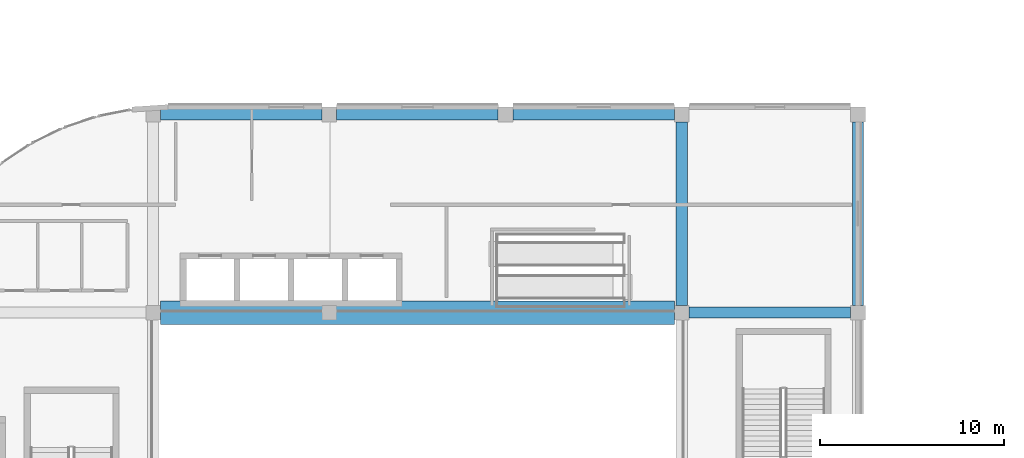
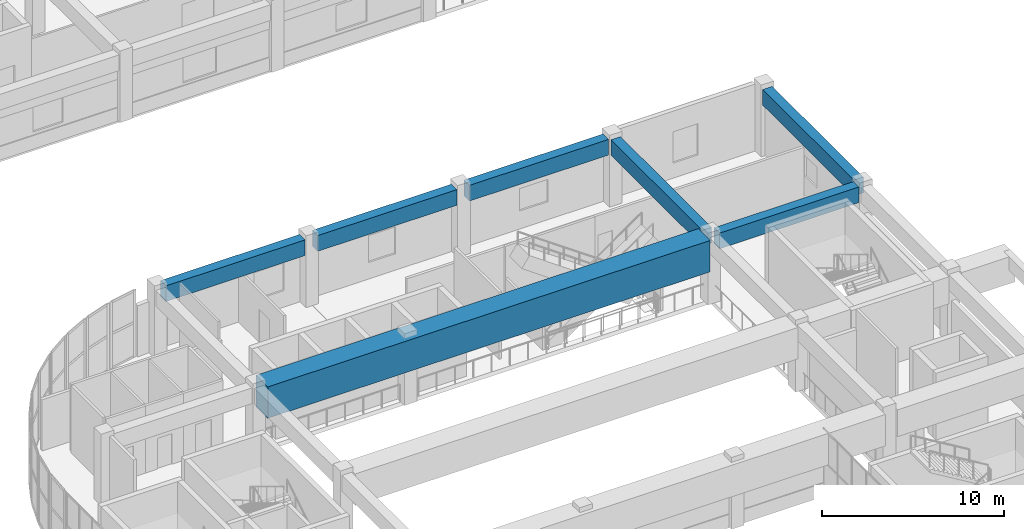
# One storey, part 10 of 33: 7 beams.
"""IFC4 building model written with IfcOpenShell, lengths in metres."""

from ifc_helpers import new_model, si_unit, direction, frame, origin, origin_2d, place, context, subcontext, project, spatial, rectangle, extrude, material, material_profile, profile_set, type_object, element, save


model = new_model("IFC4")

# Units and contexts
model_context = context("Model", 3, precision=1e-05, world=origin(), true_north=direction((0.0, 1.0)))
body_context = subcontext(model_context, "Body", "Model", "MODEL_VIEW")
ifc_project = project(units=[si_unit("LENGTHUNIT", "METRE"), si_unit("AREAUNIT", "SQUARE_METRE"), si_unit("VOLUMEUNIT", "CUBIC_METRE"), si_unit("PLANEANGLEUNIT", "RADIAN"), si_unit("MASSUNIT", "GRAM", prefix="KILO")], contexts=[model_context])

# Site, building, storey
site_placement = place(None, origin())
site = spatial("IfcSite", under=ifc_project, at=site_placement, CompositionType="ELEMENT")
building_placement = place(site_placement, origin())
building = spatial("IfcBuilding", under=site, at=building_placement, Name="Cendralis Terraced Arcade", CompositionType="ELEMENT")
storey_placement = place(building_placement, frame((0.0, 0.0, 19.800048828125)))
storey = spatial("IfcBuildingStorey", under=building, at=storey_placement, Name="L04", CompositionType="ELEMENT", Elevation=19.800048828125)

# Beams
ifc_material_1 = material(Name="Concrete f'c 35 MPa", Category="concrete")
ifc_material_profile_1 = material_profile(ifc_material_1, rectangle(XDim=0.60009765625, YDim=1.050048828125, at=origin_2d()), Name="RC-BM-600x1050", Category="LoadBearing")
ifc_profile_set_1 = profile_set([ifc_material_profile_1], Name="Concrete f'c 35 MPa")
beam_type_1 = type_object("IfcBeamType", Name="BM-600x1050", PredefinedType="JOIST", material=ifc_profile_set_1)
beam_1_placement = place(storey_placement, frame((48.39990234375, 38.39990234375, 3.954833984375), z_axis=(1.0, 0.0, 0.0), x_axis=(0.0, 1.0, 0.0)))
element("IfcBeam", 1, at=beam_1_placement, inside=storey, type_object=beam_type_1, Name="Reinforced Concrete Frame Beam BM-X-L05-E-6_7", PredefinedType="JOIST", context=body_context, shape_type="SweptSolid", body=[
    extrude(rectangle(XDim=0.60009765625, YDim=1.050048828125, at=origin_2d()), origin(), (0.0, 0.0, 1.0), 8.800048828125),
])
beam_2_placement = place(storey_placement, frame((19.60009765625, 49.199951171875, 3.954833984375), z_axis=(1.0, 0.0, 0.0), x_axis=(0.0, 1.0, 0.0)))
element("IfcBeam", 2, at=beam_2_placement, inside=storey, type_object=beam_type_1, Name="Reinforced Concrete Frame Beam BM-X-L05-F-3_4", PredefinedType="JOIST", context=body_context, shape_type="SweptSolid", body=[
    extrude(rectangle(XDim=0.60009765625, YDim=1.050048828125, at=origin_2d()), origin(), (0.0, 0.0, 1.0), 8.7998046875),
])
for number, where, z_axis, x_axis, name in (
    (3, (29.199951171875, 49.199951171875, 3.954833984375), (1.0, 0.0, 0.0), (0.0, 1.0, 0.0), "Reinforced Concrete Frame Beam BM-X-L05-F-4_5"),
    (4, (38.800048828125, 49.199951171875, 3.954833984375), (1.0, 0.0, 0.0), (0.0, 1.0, 0.0), "Reinforced Concrete Frame Beam BM-X-L05-F-5_6"),
):
    element("IfcBeam", number, at=place(storey_placement, frame(where, z_axis=z_axis, x_axis=x_axis)), inside=storey, type_object=beam_type_1, Name=name, PredefinedType="JOIST", context=body_context, shape_type="SweptSolid", body=[
        extrude(rectangle(XDim=0.60009765625, YDim=1.050048828125, at=origin_2d()), origin(), (0.0, 0.0, 1.0), 8.800048828125),
    ])
for number, where, z_axis, x_axis, name in (
    (5, (48.0, 38.800048828125, 3.954833984375), (0.0, 1.0, 0.0), (-1.0, 0.0, 0.0), "Reinforced Concrete Frame Beam BM-Y-L05-6-E_F"),
    (6, (57.60009765625, 38.800048828125, 3.954833984375), (0.0, 1.0, 0.0), (-1.0, 0.0, 0.0), "Reinforced Concrete Frame Beam BM-Y-L05-7-E_F"),
):
    element("IfcBeam", number, at=place(storey_placement, frame(where, z_axis=z_axis, x_axis=x_axis)), inside=storey, type_object=beam_type_1, Name=name, PredefinedType="JOIST", context=body_context, shape_type="SweptSolid", body=[
        extrude(rectangle(XDim=0.60009765625, YDim=1.050048828125, at=origin_2d()), origin(), (0.0, 0.0, 1.0), 10.0),
    ])
ifc_material_2 = material(Name="Concrete f'c 42 MPa", Category="concrete")
ifc_material_profile_2 = material_profile(ifc_material_2, rectangle(XDim=1.300048828125, YDim=2.10009765625, at=origin_2d()), Name="RC-TG-1300x2100", Category="LoadBearing")
ifc_profile_set_2 = profile_set([ifc_material_profile_2], Name="Concrete f'c 42 MPa")
beam_type_2 = type_object("IfcBeamType", Name="BM-TG-1300x2100", PredefinedType="USERDEFINED", material=ifc_profile_set_2)
beam_3_placement = place(storey_placement, frame((19.60009765625, 38.39990234375, 3.429931640625), z_axis=(1.0, 0.0, 0.0), x_axis=(0.0, 1.0, 0.0)))
element("IfcBeam", 7, at=beam_3_placement, inside=storey, type_object=beam_type_2, Name="Atrium Bridge Transfer Girder TG-ATR-L05-E", ObjectType="TRANSFER GIRDER", PredefinedType="USERDEFINED", context=body_context, shape_type="SweptSolid", body=[
    extrude(rectangle(XDim=1.300048828125, YDim=2.10009765625, at=origin_2d()), origin(), (0.0, 0.0, 1.0), 28.0),
])

save(model, "model.ifc")
